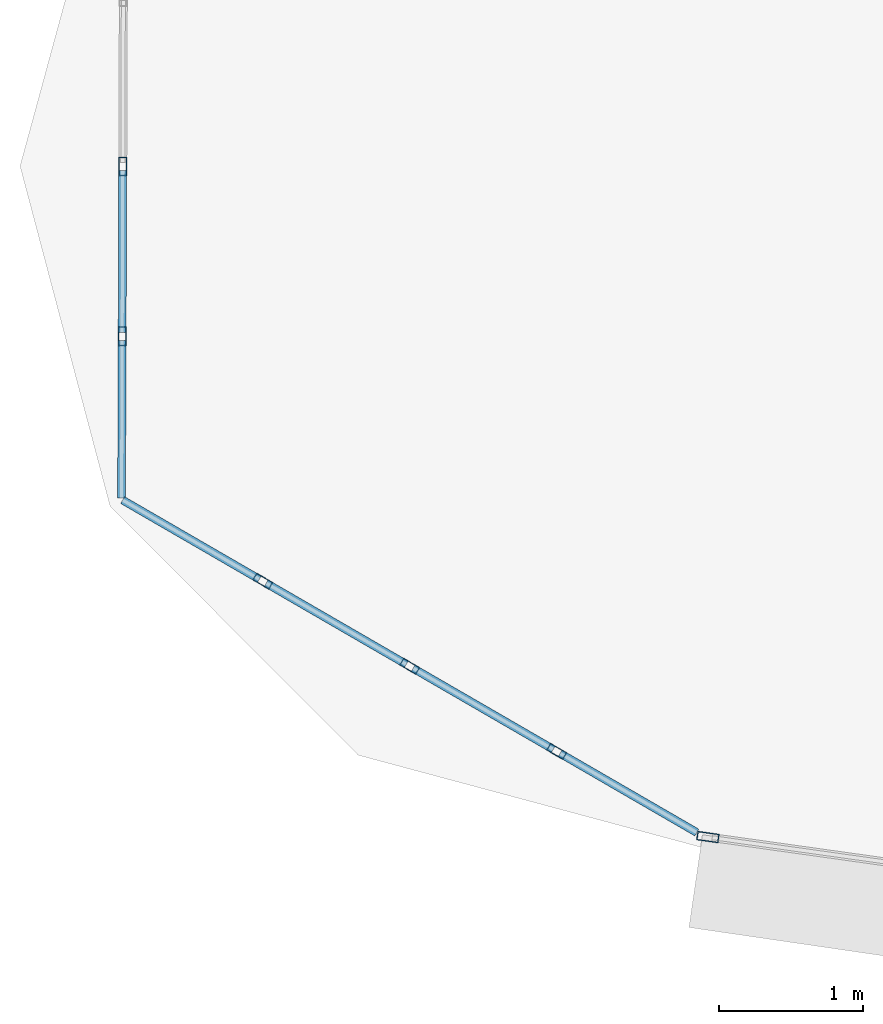
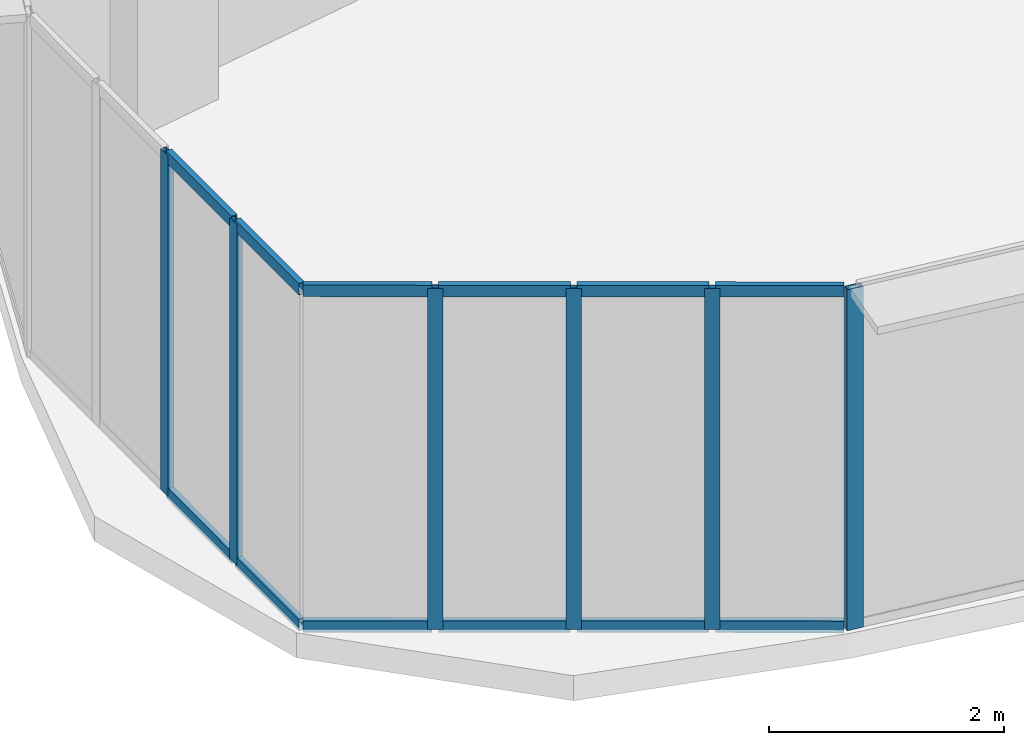
# One storey, part 2 of 38: 18 members, 3 elements without a shape of their own.
"""IFC4 building model written with IfcOpenShell, lengths in metres."""

import ifcopenshell
import ifcopenshell.guid

model = None  # the IFC model being written
_history = None  # IfcOwnerHistory: only IFC2X3 demands one
_inside = {}  # id of a spatial element -> (the spatial element, [elements in it])
_under = {}  # id of a project, library or spatial element -> (it, [spatial elements below it])
_declared = {}  # id of a project -> (the project, [libraries it declares])
_typed = {}  # id of a type object -> (the type object, [elements of that type])
_made_of = {}  # id of a material, layer set ... -> (it, [elements and type objects made of it])


def new_model(schema):
    """Start an empty IFC model of exactly this schema.

    Asked for "IFC4X3", IfcOpenShell would pick the latest addendum, in which some entities
    have other attributes; the version numbers below select the first issue.
    IFC2X3 requires an IfcOwnerHistory on every rooted entity: one is made here for all.
    """
    global model, _history
    if schema == "IFC4X3":
        model = ifcopenshell.file(schema_version=(4, 3, 0, 0))
    else:
        model = ifcopenshell.file(schema=schema)
    _inside.clear()
    _under.clear()
    _declared.clear()
    _typed.clear()
    _made_of.clear()
    _history = None
    if model.schema == "IFC2X3":
        org = make("IfcOrganization", Name="unknown")
        user = make(
            "IfcPersonAndOrganization",
            ThePerson=make("IfcPerson", FamilyName="unknown"),
            TheOrganization=org,
        )
        app = make(
            "IfcApplication",
            ApplicationDeveloper=org,
            Version="unknown",
            ApplicationFullName="unknown",
            ApplicationIdentifier="unknown",
        )
        _history = make(
            "IfcOwnerHistory",
            OwningUser=user,
            OwningApplication=app,
            ChangeAction="ADDED",
            CreationDate=0,
        )
    return model


def make(cls, **values):
    """One entity of the class cls with the attributes given. An attribute that is None is left unset."""
    return model.create_entity(
        cls, **{name: value for name, value in values.items() if value is not None}
    )


def rooted(cls, **values):
    """An entity with a GlobalId (a new one), such as an element, a storey or a relation."""
    return make(cls, GlobalId=ifcopenshell.guid.new(), OwnerHistory=_history, **values)


def si_unit(unit_type, name, prefix=None):
    """IfcSIUnit, for example si_unit("LENGTHUNIT", "METRE", prefix="MILLI")."""
    return make("IfcSIUnit", UnitType=unit_type, Prefix=prefix, Name=name)


def assignment(units):
    """IfcUnitAssignment: the units of a project."""
    return None if units is None else make("IfcUnitAssignment", Units=units)


def point(xyz):
    """IfcCartesianPoint."""
    return None if xyz is None else make("IfcCartesianPoint", Coordinates=xyz)


def direction(xyz):
    """IfcDirection."""
    return None if xyz is None else make("IfcDirection", DirectionRatios=xyz)


def frame(location, z_axis=None, x_axis=None):
    """IfcAxis2Placement3D, a coordinate frame: its origin and axes. An axis left out is left unset."""
    return make(
        "IfcAxis2Placement3D",
        Location=point(location),
        Axis=direction(z_axis),
        RefDirection=direction(x_axis),
    )


def frame_2d(location, x_axis=None):
    """IfcAxis2Placement2D, a coordinate frame in the plane: its origin and x axis."""
    return make(
        "IfcAxis2Placement2D", Location=point(location), RefDirection=direction(x_axis)
    )


def origin():
    """The frame at (0, 0, 0) with its axes left unset."""
    return frame((0.0, 0.0, 0.0))


def origin_2d():
    """The frame at (0, 0) in the plane with its x axis left unset."""
    return frame_2d((0.0, 0.0))


def place(relative_to, where):
    """IfcLocalPlacement: puts the frame where relative to a parent placement (None: the world)."""
    return make(
        "IfcLocalPlacement", PlacementRelTo=relative_to, RelativePlacement=where
    )


def context(
    kind, dimensions, precision=None, world=None, true_north=None, identifier=None
):
    """IfcGeometricRepresentationContext, for example the 3D "Model" context."""
    return make(
        "IfcGeometricRepresentationContext",
        ContextIdentifier=identifier,
        ContextType=kind,
        CoordinateSpaceDimension=dimensions,
        Precision=precision,
        WorldCoordinateSystem=world,
        TrueNorth=true_north,
    )


def subcontext(parent, identifier, kind, view, scale=None):
    """IfcGeometricRepresentationSubContext, for example "Body" below "Model"."""
    return make(
        "IfcGeometricRepresentationSubContext",
        ContextIdentifier=identifier,
        ContextType=kind,
        ParentContext=parent,
        TargetScale=scale,
        TargetView=view,
    )


def project(units=None, contexts=None):
    """IfcProject with its units and contexts."""
    return rooted(
        "IfcProject",
        Name="project",
        RepresentationContexts=contexts,
        UnitsInContext=assignment(units),
    )


def spatial(cls, under=None, at=None, **own):
    """A site, building, storey or space (cls), placed at a placement, below another one or the project."""
    s = rooted(cls, ObjectPlacement=at, **own)
    if under is not None:
        _under.setdefault(under.id(), (under, []))[1].append(s)
    return s


def profile(cls, at=None, kind="AREA", **sizes):
    """A parametric profile (cls). Its sizes go by their IFC names, for example OverallWidth=200.0."""
    return make(cls, ProfileType=kind, Position=at, **sizes)


def hollow_rectangle(**sizes):
    """IfcRectangleHollowProfileDef."""
    return profile("IfcRectangleHollowProfileDef", **sizes)


def extrude(swept, where, along, depth):
    """IfcExtrudedAreaSolid: the profile swept, set in the frame where, extruded along a direction by depth."""
    return make(
        "IfcExtrudedAreaSolid",
        SweptArea=swept,
        Position=where,
        ExtrudedDirection=direction(along),
        Depth=depth,
    )


def shape(context_of_items, identifier, shape_type, items):
    """IfcShapeRepresentation: the items that make up one representation, for example the "Body"."""
    return make(
        "IfcShapeRepresentation",
        ContextOfItems=context_of_items,
        RepresentationIdentifier=identifier,
        RepresentationType=shape_type,
        Items=items,
    )


def source(mapping_origin, context_of_items, identifier, shape_type, items):
    """IfcRepresentationMap: a shape defined once, which mapped items show again and again."""
    return make(
        "IfcRepresentationMap",
        MappingOrigin=mapping_origin,
        MappedRepresentation=shape(context_of_items, identifier, shape_type, items),
    )


def transform(
    local_origin,
    x_axis=None,
    y_axis=None,
    z_axis=None,
    scale=None,
    scale2=None,
    scale3=None,
    uniform=True,
):
    """IfcCartesianTransformationOperator3D, or its non-uniform kind. x_axis, y_axis, z_axis: its Axis1, 2, 3."""
    if uniform:
        return make(
            "IfcCartesianTransformationOperator3D",
            Axis1=direction(x_axis),
            Axis2=direction(y_axis),
            LocalOrigin=point(local_origin),
            Scale=scale,
            Axis3=direction(z_axis),
        )
    return make(
        "IfcCartesianTransformationOperator3DnonUniform",
        Axis1=direction(x_axis),
        Axis2=direction(y_axis),
        LocalOrigin=point(local_origin),
        Scale=scale,
        Axis3=direction(z_axis),
        Scale2=scale2,
        Scale3=scale3,
    )


def mapped(mapping_source, mapping_target):
    """IfcMappedItem: shows the shape of a source again, moved by a transform."""
    return make(
        "IfcMappedItem", MappingSource=mapping_source, MappingTarget=mapping_target
    )


def material(Name=None, Category=None):
    """IfcMaterial."""
    return make("IfcMaterial", Name=Name, Category=Category)


def layer(
    of_material, thickness, ventilated=None, Name=None, Category=None, Priority=None
):
    """IfcMaterialLayer: one layer of a wall or slab, of a material (None: an air gap)."""
    return make(
        "IfcMaterialLayer",
        Material=of_material,
        LayerThickness=thickness,
        IsVentilated=ventilated,
        Name=Name,
        Category=Category,
        Priority=Priority,
    )


def layer_set(layers, Name=None):
    """IfcMaterialLayerSet."""
    return make("IfcMaterialLayerSet", MaterialLayers=layers, LayerSetName=Name)


def material_profile(
    of_material, cross_section, Name=None, Category=None, Priority=None
):
    """IfcMaterialProfile: a cross section and its material."""
    return make(
        "IfcMaterialProfile",
        Name=Name,
        Material=of_material,
        Profile=cross_section,
        Priority=Priority,
        Category=Category,
    )


def profile_set(profiles, Name=None, composite=None):
    """IfcMaterialProfileSet."""
    return make(
        "IfcMaterialProfileSet",
        Name=Name,
        MaterialProfiles=profiles,
        CompositeProfile=composite,
    )


def made_of(thing, what):
    """Note that an element or type object is made of a material, layer set ...; save() writes the relation."""
    if what is not None:
        _made_of.setdefault(what.id(), (what, []))[1].append(thing)
    return thing


def type_object(cls, material=None, **own):
    """A type object (cls), such as IfcWallType, which elements share."""
    return made_of(rooted(cls, **own), material)


def element(
    cls,
    number,
    at=None,
    inside=None,
    cuts=None,
    type_object=None,
    material=None,
    context=None,
    identifier="Body",
    shape_type=None,
    held_by="IfcProductDefinitionShape",
    body=None,
    shapes=None,
    **own,
):
    """One element of the class cls, such as IfcWall. Its Tag is "e" and its number.

    at: its placement. inside: the storey or other place that contains it. cuts: it is an
    opening in that element (IfcRelVoidsElement). A single representation is given by context,
    identifier, shape_type and body (its items); several are given by shapes. held_by: the class
    of the entity that holds the representations. save() writes the other relations.
    """
    e = rooted(cls, Tag="e%d" % number, ObjectPlacement=at, **own)
    if body is not None:
        shapes = [shape(context, identifier, shape_type, body)]
    if shapes is not None:
        e.Representation = make(held_by, Representations=shapes)
    if inside is not None:
        _inside.setdefault(inside.id(), (inside, []))[1].append(e)
    if cuts is not None:
        rooted(
            "IfcRelVoidsElement", RelatingBuildingElement=cuts, RelatedOpeningElement=e
        )
    if type_object is not None:
        _typed.setdefault(type_object.id(), (type_object, []))[1].append(e)
    return made_of(e, material)


def aggregate(whole, parts):
    """IfcRelAggregates: a whole, such as a stair, and the parts it consists of."""
    return rooted("IfcRelAggregates", RelatingObject=whole, RelatedObjects=parts)


def save(model, path):
    """Write the relations noted so far, then the file.

    IfcRelAggregates (storeys below a building ...), IfcRelContainedInSpatialStructure (elements
    in a storey), IfcRelDefinesByType, IfcRelAssociatesMaterial and IfcRelDeclares: one each for
    every whole, place, type object, material and project.
    """
    for whole, parts in _under.values():
        aggregate(whole, parts)
    for where, things in _inside.values():
        rooted(
            "IfcRelContainedInSpatialStructure",
            RelatedElements=things,
            RelatingStructure=where,
        )
    for kind, things in _typed.values():
        rooted("IfcRelDefinesByType", RelatedObjects=things, RelatingType=kind)
    for what, things in _made_of.values():
        rooted("IfcRelAssociatesMaterial", RelatedObjects=things, RelatingMaterial=what)
    for by, libraries in _declared.values():
        rooted("IfcRelDeclares", RelatingContext=by, RelatedDefinitions=libraries)
    model.write(path)


model = new_model("IFC4")

# Units and contexts
model_context = context("Model", 3, precision=1e-05, world=origin(), true_north=direction((0.0, 1.0)))
body_context = subcontext(model_context, "Body", "Model", "MODEL_VIEW")
ifc_project = project(units=[si_unit("LENGTHUNIT", "METRE"), si_unit("AREAUNIT", "SQUARE_METRE"), si_unit("VOLUMEUNIT", "CUBIC_METRE"), si_unit("PLANEANGLEUNIT", "RADIAN"), si_unit("MASSUNIT", "GRAM", prefix="KILO"), si_unit("THERMODYNAMICTEMPERATUREUNIT", "KELVIN"), si_unit("POWERUNIT", "WATT")], contexts=[model_context])

# Site, building, storey
site_placement = place(None, origin())
site = spatial("IfcSite", under=ifc_project, at=site_placement, CompositionType="ELEMENT")
building_placement = place(site_placement, origin())
building = spatial("IfcBuilding", under=site, at=building_placement, Name="Yunzhuo Pagoda Commons", CompositionType="ELEMENT")
storey_placement = place(building_placement, frame((0.0, 0.0, 203.760009765625)))
storey = spatial("IfcBuildingStorey", under=building, at=storey_placement, Name="L51", CompositionType="ELEMENT", Elevation=203.760009765625)

# Curtain wall, members
ifc_material = material(Name="Anodized aluminium 6063-T6", Category="aluminium")
ifc_layer_1 = layer(ifc_material, 0.1298828125)
ifc_layer_set_1 = layer_set([ifc_layer_1], Name="Anodized aluminium 6063-T6")
curtain_wall_type_1 = type_object("IfcCurtainWallType", Name="CW-VTX Rounded Corner Curtain Wall", PredefinedType="NOTDEFINED", material=ifc_layer_set_1)
curtain_wall_1_placement = place(storey_placement, origin())
curtain_wall_1 = element("IfcCurtainWall", 1, at=curtain_wall_1_placement, inside=storey, type_object=curtain_wall_type_1, Name="L51 curtain wall CW-L51-VTX1S1", PredefinedType="NOTDEFINED")
ifc_material_profile_1 = material_profile(ifc_material, hollow_rectangle(XDim=0.054931640625, YDim=0.1298828125, WallThickness=0.00341796875, at=origin_2d()), Name="Anodized aluminium 6063-T6")
ifc_profile_set_1 = profile_set([ifc_material_profile_1], Name="Anodized aluminium 6063-T6")
member_type_1 = type_object("IfcMemberType", Name="CW-VTX-M Mullion RHS 130x55x3.5", PredefinedType="MULLION", material=ifc_profile_set_1)
shared_shape_1 = source(origin(), body_context, "Body", "SweptSolid", [
    extrude(hollow_rectangle(XDim=0.054931640625, YDim=0.1298828125, WallThickness=0.00341796875, at=origin_2d()), origin(), (0.0, 0.0, 1.0), 3.5400390625),
])
member_1_placement = place(storey_placement, frame((10.021240234375, 22.297607421875, 0.0), z_axis=(0.0, 0.0, 1.0), x_axis=(0.999993564434, -0.00358763029, 0.0)))
member_1 = element("IfcMember", 2, at=member_1_placement, type_object=member_type_1, Name="CW mullion 3", PredefinedType="MULLION", context=body_context, shape_type="MappedRepresentation", body=[
    mapped(shared_shape_1, transform((0.0, 0.0, 0.0), scale=1.0)),
])
member_2_placement = place(storey_placement, frame((10.01708984375, 21.1201171875, 0.0), z_axis=(0.0, 0.0, 1.0), x_axis=(0.999993564434, -0.00358763029, 0.0)))
member_2 = element("IfcMember", 3, at=member_2_placement, type_object=member_type_1, Name="CW mullion 4", PredefinedType="MULLION", context=body_context, shape_type="MappedRepresentation", body=[
    mapped(shared_shape_1, transform((0.0, 0.0, 0.0), scale=1.0)),
])

curtain_wall_2_placement = place(storey_placement, origin())
curtain_wall_2 = element("IfcCurtainWall", 4, at=curtain_wall_2_placement, inside=storey, type_object=curtain_wall_type_1, Name="L51 curtain wall CW-L51-VTX1S2", PredefinedType="NOTDEFINED")
member_3_placement = place(storey_placement, frame((10.992431640625, 19.421875, 0.0), z_axis=(0.0, 0.0, 1.0), x_axis=(0.50103710735, 0.865425801013, 0.0)))
member_3 = element("IfcMember", 5, at=member_3_placement, type_object=member_type_1, Name="CW mullion 2", PredefinedType="MULLION", context=body_context, shape_type="MappedRepresentation", body=[
    mapped(shared_shape_1, transform((0.0, 0.0, 0.0), scale=1.0)),
])
member_4_placement = place(storey_placement, frame((12.011474609375, 18.831787109375, 0.0), z_axis=(0.0, 0.0, 1.0), x_axis=(0.50103710735, 0.865425801013, 0.0)))
member_4 = element("IfcMember", 6, at=member_4_placement, type_object=member_type_1, Name="CW mullion 3", PredefinedType="MULLION", context=body_context, shape_type="MappedRepresentation", body=[
    mapped(shared_shape_1, transform((0.0, 0.0, 0.0), scale=1.0)),
])
member_5_placement = place(storey_placement, frame((13.030517578125, 18.24169921875, 0.0), z_axis=(0.0, 0.0, 1.0), x_axis=(0.50103710735, 0.865425801013, 0.0)))
member_5 = element("IfcMember", 7, at=member_5_placement, type_object=member_type_1, Name="CW mullion 4", PredefinedType="MULLION", context=body_context, shape_type="MappedRepresentation", body=[
    mapped(shared_shape_1, transform((0.0, 0.0, 0.0), scale=1.0)),
])

# Curtain wall, member
ifc_layer_2 = layer(ifc_material, 0.14990234375)
ifc_layer_set_2 = layer_set([ifc_layer_2], Name="Anodized aluminium 6063-T6")
curtain_wall_type_2 = type_object("IfcCurtainWallType", Name="CW-MID Mid-Zone Ribbon Curtain Wall", PredefinedType="NOTDEFINED", material=ifc_layer_set_2)
curtain_wall_3_placement = place(storey_placement, origin())
curtain_wall_3 = element("IfcCurtainWall", 8, at=curtain_wall_3_placement, inside=storey, type_object=curtain_wall_type_2, Name="L51 curtain wall CW-L51-F1B1", PredefinedType="NOTDEFINED")
ifc_material_profile_2 = material_profile(ifc_material, hollow_rectangle(XDim=0.06005859375, YDim=0.14990234375, WallThickness=0.00390625, at=origin_2d()), Name="Anodized aluminium 6063-T6")
ifc_profile_set_2 = profile_set([ifc_material_profile_2], Name="Anodized aluminium 6063-T6")
member_type_2 = type_object("IfcMemberType", Name="CW-MID-M Mullion RHS 150x60x4", PredefinedType="MULLION", material=ifc_profile_set_2)
shared_shape_2 = source(origin(), body_context, "Body", "SweptSolid", [
    extrude(hollow_rectangle(XDim=0.06005859375, YDim=0.14990234375, WallThickness=0.00390625, at=origin_2d()), origin(), (0.0, 0.0, 1.0), 3.5400390625),
])
member_6_placement = place(storey_placement, frame((14.079345703125, 17.6474609375, 0.0), z_axis=(0.0, 0.0, 1.0), x_axis=(0.138819494362, 0.990317700531, 0.0)))
member_6 = element("IfcMember", 9, at=member_6_placement, type_object=member_type_2, Name="CW mullion 1", PredefinedType="MULLION", context=body_context, shape_type="MappedRepresentation", body=[
    mapped(shared_shape_2, transform((0.0, 0.0, 0.0), scale=1.0)),
])
aggregate(curtain_wall_3, [member_6])

# Member
ifc_material_profile_3 = material_profile(ifc_material, hollow_rectangle(XDim=0.054931640625, YDim=0.1201171875, WallThickness=0.00341796875, at=origin_2d()), Name="Anodized aluminium 6063-T6")
ifc_profile_set_3 = profile_set([ifc_material_profile_3], Name="Anodized aluminium 6063-T6")
member_type_3 = type_object("IfcMemberType", Name="CW-VTX-T Transom RHS 120x55x3.5", PredefinedType="USERDEFINED", material=ifc_profile_set_3)
shared_shape_3 = source(origin(), body_context, "Body", "SweptSolid", [
    extrude(hollow_rectangle(XDim=0.054931640625, YDim=0.1201171875, WallThickness=0.00341796875, at=origin_2d()), origin(), (0.0, 0.0, 1.0), 1.094970703125),
])
member_7_placement = place(storey_placement, frame((10.01708984375, 21.092529296875, 0.027587890625), z_axis=(-0.003567424345, -0.999993636722, 0.0), x_axis=(0.999993636722, -0.003567424345, 0.0)))
member_7 = element("IfcMember", 10, at=member_7_placement, type_object=member_type_3, Name="CW transom 4.1", ObjectType="TRANSOM", PredefinedType="USERDEFINED", context=body_context, shape_type="MappedRepresentation", body=[
    mapped(shared_shape_3, transform((0.0, 0.0, 0.0), scale=1.0)),
])

member_8_placement = place(storey_placement, frame((10.01708984375, 21.092529296875, 3.512451171875), z_axis=(-0.003567424345, -0.999993636722, 0.0), x_axis=(0.999993636722, -0.003567424345, 0.0)))
member_8 = element("IfcMember", 11, at=member_8_placement, type_object=member_type_3, Name="CW transom 4.2", ObjectType="TRANSOM", PredefinedType="USERDEFINED", context=body_context, shape_type="MappedRepresentation", body=[
    mapped(shared_shape_3, transform((0.0, 0.0, 0.0), scale=1.0)),
])

shared_shape_4 = source(origin(), body_context, "Body", "SweptSolid", [
    extrude(hollow_rectangle(XDim=0.054931640625, YDim=0.1201171875, WallThickness=0.00341796875, at=origin_2d()), origin(), (0.0, 0.0, 1.0), 1.122802734375),
])
member_9_placement = place(storey_placement, frame((10.021240234375, 22.270263671875, 0.027587890625), z_axis=(-0.003478996124, -0.999993948275, 0.0), x_axis=(0.999993948275, -0.003478996124, 0.0)))
member_9 = element("IfcMember", 12, at=member_9_placement, type_object=member_type_3, Name="CW transom 3.1", ObjectType="TRANSOM", PredefinedType="USERDEFINED", context=body_context, shape_type="MappedRepresentation", body=[
    mapped(shared_shape_4, transform((0.0, 0.0, 0.0), scale=1.0)),
])

member_10_placement = place(storey_placement, frame((10.021240234375, 22.270263671875, 3.512451171875), z_axis=(-0.003478996124, -0.999993948275, 0.0), x_axis=(0.999993948275, -0.003478996124, 0.0)))
member_10 = element("IfcMember", 13, at=member_10_placement, type_object=member_type_3, Name="CW transom 3.2", ObjectType="TRANSOM", PredefinedType="USERDEFINED", context=body_context, shape_type="MappedRepresentation", body=[
    mapped(shared_shape_4, transform((0.0, 0.0, 0.0), scale=1.0)),
])

aggregate(curtain_wall_1, [member_1, member_2, member_9, member_10, member_7, member_8])

member_11_placement = place(storey_placement, frame((11.015869140625, 19.407958984375, 0.027587890625), z_axis=(0.865446134898, -0.501001983619, 0.0), x_axis=(0.501001983619, 0.865446134898, 0.0)))
member_11 = element("IfcMember", 14, at=member_11_placement, type_object=member_type_3, Name="CW transom 2.1", ObjectType="TRANSOM", PredefinedType="USERDEFINED", context=body_context, shape_type="MappedRepresentation", body=[
    mapped(shared_shape_4, transform((0.0, 0.0, 0.0), scale=1.0)),
])

member_12_placement = place(storey_placement, frame((11.015869140625, 19.407958984375, 3.512451171875), z_axis=(0.865446134898, -0.501001983619, 0.0), x_axis=(0.501001983619, 0.865446134898, 0.0)))
member_12 = element("IfcMember", 15, at=member_12_placement, type_object=member_type_3, Name="CW transom 2.2", ObjectType="TRANSOM", PredefinedType="USERDEFINED", context=body_context, shape_type="MappedRepresentation", body=[
    mapped(shared_shape_4, transform((0.0, 0.0, 0.0), scale=1.0)),
])

member_13_placement = place(storey_placement, frame((12.03515625, 18.818115234375, 0.027587890625), z_axis=(0.865446134898, -0.501001983619, 0.0), x_axis=(0.501001983619, 0.865446134898, 0.0)))
member_13 = element("IfcMember", 16, at=member_13_placement, type_object=member_type_3, Name="CW transom 3.1", ObjectType="TRANSOM", PredefinedType="USERDEFINED", context=body_context, shape_type="MappedRepresentation", body=[
    mapped(shared_shape_4, transform((0.0, 0.0, 0.0), scale=1.0)),
])

member_14_placement = place(storey_placement, frame((12.03515625, 18.818115234375, 3.512451171875), z_axis=(0.865446134898, -0.501001983619, 0.0), x_axis=(0.501001983619, 0.865446134898, 0.0)))
member_14 = element("IfcMember", 17, at=member_14_placement, type_object=member_type_3, Name="CW transom 3.2", ObjectType="TRANSOM", PredefinedType="USERDEFINED", context=body_context, shape_type="MappedRepresentation", body=[
    mapped(shared_shape_4, transform((0.0, 0.0, 0.0), scale=1.0)),
])

shared_shape_5 = source(origin(), body_context, "Body", "SweptSolid", [
    extrude(hollow_rectangle(XDim=0.054931640625, YDim=0.1201171875, WallThickness=0.00341796875, at=origin_2d()), origin(), (0.0, 0.0, 1.0), 1.09521484375),
])
member_15_placement = place(storey_placement, frame((10.0205078125, 19.984375, 0.027587890625), z_axis=(0.865375407163, -0.501124140985, 0.0), x_axis=(0.501124140985, 0.865375407163, 0.0)))
member_15 = element("IfcMember", 18, at=member_15_placement, type_object=member_type_3, Name="CW transom 1.1", ObjectType="TRANSOM", PredefinedType="USERDEFINED", context=body_context, shape_type="MappedRepresentation", body=[
    mapped(shared_shape_5, transform((0.0, 0.0, 0.0), scale=1.0)),
])

member_16_placement = place(storey_placement, frame((10.0205078125, 19.984375, 3.512451171875), z_axis=(0.865375407163, -0.501124140985, 0.0), x_axis=(0.501124140985, 0.865375407163, 0.0)))
member_16 = element("IfcMember", 19, at=member_16_placement, type_object=member_type_3, Name="CW transom 1.2", ObjectType="TRANSOM", PredefinedType="USERDEFINED", context=body_context, shape_type="MappedRepresentation", body=[
    mapped(shared_shape_5, transform((0.0, 0.0, 0.0), scale=1.0)),
])

member_17_placement = place(storey_placement, frame((13.054443359375, 18.22802734375, 0.027587890625), z_axis=(0.865375407163, -0.501124140985, 0.0), x_axis=(0.501124140985, 0.865375407163, 0.0)))
member_17 = element("IfcMember", 20, at=member_17_placement, type_object=member_type_3, Name="CW transom 4.1", ObjectType="TRANSOM", PredefinedType="USERDEFINED", context=body_context, shape_type="MappedRepresentation", body=[
    mapped(shared_shape_5, transform((0.0, 0.0, 0.0), scale=1.0)),
])

member_18_placement = place(storey_placement, frame((13.054443359375, 18.22802734375, 3.512451171875), z_axis=(0.865375407163, -0.501124140985, 0.0), x_axis=(0.501124140985, 0.865375407163, 0.0)))
member_18 = element("IfcMember", 21, at=member_18_placement, type_object=member_type_3, Name="CW transom 4.2", ObjectType="TRANSOM", PredefinedType="USERDEFINED", context=body_context, shape_type="MappedRepresentation", body=[
    mapped(shared_shape_5, transform((0.0, 0.0, 0.0), scale=1.0)),
])

aggregate(curtain_wall_2, [member_3, member_4, member_5, member_15, member_16, member_11, member_12, member_13, member_14, member_17, member_18])

save(model, "model.ifc")
